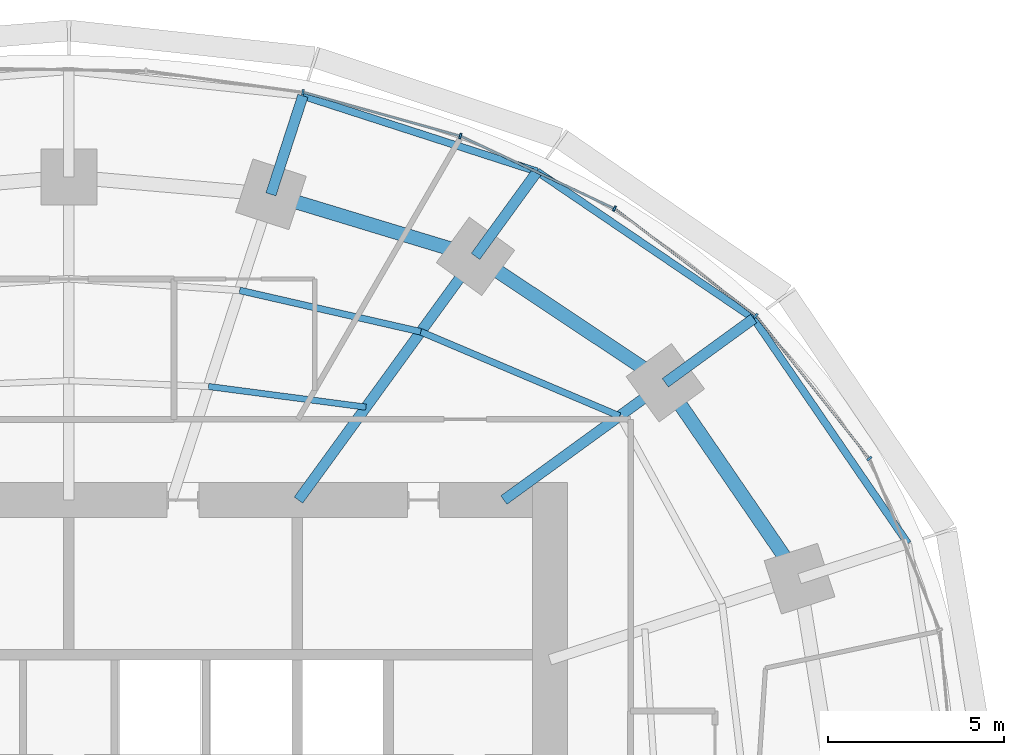
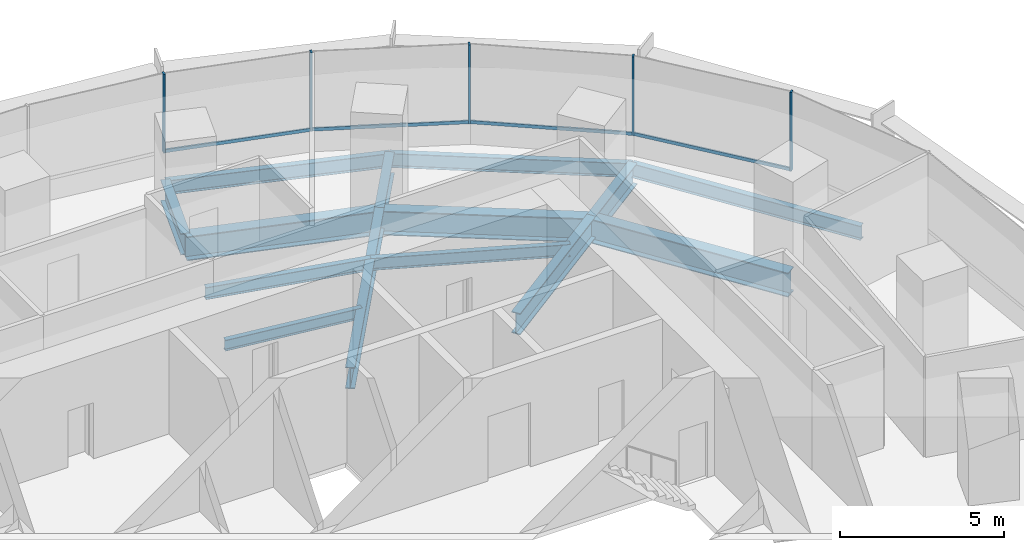
# One storey, part 8 of 14: 14 beams, 9 members, 2 elements without a shape of their own.
"""IFC4 building model written with IfcOpenShell, lengths in metres."""

from ifc_helpers import new_model, si_unit, direction, frame, origin, origin_2d, place, context, subcontext, project, spatial, rectangle, i_section, extrude, material, material_profile, profile_set, type_object, element, aggregate, save


model = new_model("IFC4")

# Units and contexts
model_context = context("Model", 3, precision=1e-05, world=origin(), true_north=direction((0.0, 1.0)))
body_context = subcontext(model_context, "Body", "Model", "MODEL_VIEW")
ifc_project = project(units=[si_unit("LENGTHUNIT", "METRE"), si_unit("AREAUNIT", "SQUARE_METRE"), si_unit("VOLUMEUNIT", "CUBIC_METRE"), si_unit("PLANEANGLEUNIT", "RADIAN"), si_unit("MASSUNIT", "GRAM", prefix="KILO")], contexts=[model_context])

# Site, building, storey
site_placement = place(None, origin())
site = spatial("IfcSite", under=ifc_project, at=site_placement, CompositionType="ELEMENT")
building_placement = place(site_placement, origin())
building = spatial("IfcBuilding", under=site, at=building_placement, Name="Marramba Exchange Tower", CompositionType="ELEMENT")
storey_placement = place(building_placement, frame((0.0, 0.0, 115.800048828125)))
storey = spatial("IfcBuildingStorey", under=building, at=storey_placement, Name="L27", CompositionType="ELEMENT", Elevation=115.800048828125)

# Beams
ifc_material_1 = material(Name="Steel AS/NZS 3679.2 grade 300", Category="steel")
ifc_material_profile_1 = material_profile(ifc_material_1, i_section(OverallWidth=0.300048828125, OverallDepth=0.800048828125, WebThickness=0.013916015625, FlangeThickness=0.031982421875, at=origin_2d()), Name="800WB192")
ifc_profile_set_1 = profile_set([ifc_material_profile_1], Name="Steel AS/NZS 3679.2 grade 300")
beam_type_1 = type_object("IfcBeamType", Name="Cantilever girder 800WB192", PredefinedType="BEAM", material=ifc_profile_set_1)
beam_1_placement = place(storey_placement, frame((16.98583984375, 12.3408203125, -0.56005859375), z_axis=(0.809013970709, 0.58778941399, 0.0), x_axis=(-0.58778941399, 0.809013970709, 0.0)))
element("IfcBeam", 1, at=beam_1_placement, inside=storey, type_object=beam_type_1, Name="Cantilever girder L27 TC03", PredefinedType="BEAM", context=body_context, shape_type="SweptSolid", body=[
    extrude(i_section(OverallWidth=0.300048828125, OverallDepth=0.800048828125, WebThickness=0.013916015625, FlangeThickness=0.031982421875, at=origin_2d()), origin(), (0.0, 0.0, 1.0), 3.1142578125),
])
beam_2_placement = place(storey_placement, frame((11.581298828125, 15.9404296875, -0.56005859375), z_axis=(0.587821738214, 0.808990484544, 0.0), x_axis=(-0.808990484544, 0.587821738214, 0.0)))
element("IfcBeam", 2, at=beam_2_placement, inside=storey, type_object=beam_type_1, Name="Cantilever girder L27 TC04", PredefinedType="BEAM", context=body_context, shape_type="SweptSolid", body=[
    extrude(i_section(OverallWidth=0.300048828125, OverallDepth=0.800048828125, WebThickness=0.013916015625, FlangeThickness=0.031982421875, at=origin_2d()), origin(), (0.0, 0.0, 1.0), 2.987060546875),
])
beam_3_placement = place(storey_placement, frame((5.75390625, 17.70849609375, -0.56005859375), z_axis=(0.309018704887, 0.951055960514, 0.0), x_axis=(-0.951055960514, 0.309018704887, 0.0)))
element("IfcBeam", 3, at=beam_3_placement, inside=storey, type_object=beam_type_1, Name="Cantilever girder L27 TC05", PredefinedType="BEAM", context=body_context, shape_type="SweptSolid", body=[
    extrude(i_section(OverallWidth=0.300048828125, OverallDepth=0.800048828125, WebThickness=0.013916015625, FlangeThickness=0.031982421875, at=origin_2d()), origin(), (0.0, 0.0, 1.0), 2.949951171875),
])
ifc_material_2 = material(Name="Steel AS/NZS 3679.1 grade 300", Category="steel")
ifc_material_profile_2 = material_profile(ifc_material_2, i_section(OverallWidth=0.177978515625, OverallDepth=0.406005859375, WebThickness=0.0078125, FlangeThickness=0.0126953125, FilletRadius=0.011474609375, at=origin_2d()), Name="410UB59.7")
ifc_profile_set_2 = profile_set([ifc_material_profile_2], Name="Steel AS/NZS 3679.1 grade 300")
beam_type_2 = type_object("IfcBeamType", Name="Floor joist 410UB59.7", PredefinedType="JOIST", material=ifc_profile_set_2)
beam_4_placement = place(storey_placement, frame((8.4619140625, 11.646728515625, -0.363037109375), z_axis=(-0.991480538255, 0.130254912618, 0.0), x_axis=(-0.130254912618, -0.991480538255, 0.0)))
element("IfcBeam", 4, at=beam_4_placement, inside=storey, type_object=beam_type_2, Name="Joist L27 bay 04 row 1", PredefinedType="JOIST", context=body_context, shape_type="SweptSolid", body=[
    extrude(i_section(OverallWidth=0.177978515625, OverallDepth=0.406005859375, WebThickness=0.0078125, FlangeThickness=0.0126953125, FilletRadius=0.011474609375, at=origin_2d()), origin(), (0.0, 0.0, 1.0), 4.524658203125),
])
ifc_material_profile_3 = material_profile(ifc_material_2, i_section(OverallWidth=0.18994140625, OverallDepth=0.4541015625, WebThickness=0.008544921875, FlangeThickness=0.0126953125, FilletRadius=0.011474609375, at=origin_2d()), Name="460UB67.1")
ifc_profile_set_3 = profile_set([ifc_material_profile_3], Name="Steel AS/NZS 3679.1 grade 300")
beam_type_3 = type_object("IfcBeamType", Name="Floor joist 460UB67.1", PredefinedType="JOIST", material=ifc_profile_set_3)
beam_5_placement = place(storey_placement, frame((15.682373046875, 11.393798828125, -0.386962890625), z_axis=(-0.920674336375, 0.390331610738, 0.0), x_axis=(-0.390331610738, -0.920674336375, 0.0)))
element("IfcBeam", 5, at=beam_5_placement, inside=storey, type_object=beam_type_3, Name="Joist L27 bay 03 row 2", PredefinedType="JOIST", context=body_context, shape_type="SweptSolid", body=[
    extrude(i_section(OverallWidth=0.18994140625, OverallDepth=0.4541015625, WebThickness=0.008544921875, FlangeThickness=0.0126953125, FilletRadius=0.011474609375, at=origin_2d()), origin(), (0.0, 0.0, 1.0), 6.1484375),
])
beam_6_placement = place(storey_placement, frame((10.021728515625, 13.793701171875, -0.386962890625), z_axis=(-0.974859652292, 0.222819788916, 0.0), x_axis=(-0.222819788916, -0.974859652292, 0.0)))
element("IfcBeam", 6, at=beam_6_placement, inside=storey, type_object=beam_type_3, Name="Joist L27 bay 04 row 2", PredefinedType="JOIST", context=body_context, shape_type="SweptSolid", body=[
    extrude(i_section(OverallWidth=0.18994140625, OverallDepth=0.4541015625, WebThickness=0.008544921875, FlangeThickness=0.0126953125, FilletRadius=0.011474609375, at=origin_2d()), origin(), (0.0, 0.0, 1.0), 5.2900390625),
])

# Curtain wall, members
ifc_material_3 = material(Name="Aluminium framing, bronze anodised", Category="aluminium")
curtain_wall_type = type_object("IfcCurtainWallType", Name="Office ribbon curtain wall", PredefinedType="USERDEFINED", material=ifc_material_3)
curtain_wall_1_placement = place(storey_placement, origin())
curtain_wall_1 = element("IfcCurtainWall", 7, at=curtain_wall_1_placement, inside=storey, type_object=curtain_wall_type, Name="Curtain wall CW4 L27 F01-F05", ObjectType="RIBBON CURTAIN WALL", PredefinedType="USERDEFINED")
ifc_material_4 = material(Name="Aluminium mullion, bronze anodised", Category="aluminium")
ifc_material_profile_4 = material_profile(ifc_material_4, rectangle(XDim=0.159912109375, YDim=0.06005859375, at=origin_2d()), Name="CW4 mullion 60x160")
ifc_profile_set_4 = profile_set([ifc_material_profile_4], Name="Aluminium mullion, bronze anodised")
member_type_1 = type_object("IfcMemberType", Name="Office ribbon curtain wall mullion", PredefinedType="MULLION", material=ifc_profile_set_4)
member_1_placement = place(storey_placement, frame((22.796630859375, 10.181640625, 0.800048828125), z_axis=(0.0, 0.0, 1.0), x_axis=(-0.783563266703, -0.621312004611, 0.0)))
member_1 = element("IfcMember", 8, at=member_1_placement, type_object=member_type_1, Name="CW4 mullion 1", PredefinedType="MULLION", context=body_context, shape_type="SweptSolid", body=[
    extrude(rectangle(XDim=0.159912109375, YDim=0.06005859375, at=origin_2d()), origin(), (0.0, 0.0, 1.0), 2.93994140625),
])
member_2_placement = place(storey_placement, frame((19.5625, 14.24853515625, 0.800048828125), z_axis=(0.0, 0.0, 1.0), x_axis=(-0.60533377223, -0.795971748366, 0.0)))
member_2 = element("IfcMember", 9, at=member_2_placement, type_object=member_type_1, Name="CW4 mullion 1", PredefinedType="MULLION", context=body_context, shape_type="SweptSolid", body=[
    extrude(rectangle(XDim=0.159912109375, YDim=0.06005859375, at=origin_2d()), origin(), (0.0, 0.0, 1.0), 2.93994140625),
])
member_3_placement = place(storey_placement, frame((15.538818359375, 17.300537109375, 0.800048828125), z_axis=(0.0, 0.0, 1.0), x_axis=(-0.426678995157, -0.904403137485, 0.0)))
member_3 = element("IfcMember", 10, at=member_3_placement, type_object=member_type_1, Name="CW4 mullion 1", PredefinedType="MULLION", context=body_context, shape_type="SweptSolid", body=[
    extrude(rectangle(XDim=0.159912109375, YDim=0.06005859375, at=origin_2d()), origin(), (0.0, 0.0, 1.0), 2.93994140625),
])

curtain_wall_2_placement = place(storey_placement, origin())
curtain_wall_2 = element("IfcCurtainWall", 11, at=curtain_wall_2_placement, inside=storey, type_object=curtain_wall_type, Name="Curtain wall CW4 L27 F06-F10", ObjectType="RIBBON CURTAIN WALL", PredefinedType="USERDEFINED")
member_4_placement = place(storey_placement, frame((11.147705078125, 19.366455078125, 0.800048828125), z_axis=(0.0, 0.0, 1.0), x_axis=(-0.268865090816, -0.963177845956, 0.0)))
member_4 = element("IfcMember", 12, at=member_4_placement, type_object=member_type_1, Name="CW4 mullion 1", PredefinedType="MULLION", context=body_context, shape_type="SweptSolid", body=[
    extrude(rectangle(XDim=0.159912109375, YDim=0.06005859375, at=origin_2d()), origin(), (0.0, 0.0, 1.0), 2.93994140625),
])
member_5_placement = place(storey_placement, frame((6.66650390625, 20.61328125, 0.800048828125), z_axis=(0.0, 0.0, 1.0), x_axis=(-0.135785837319, -0.990738212841, 0.0)))
member_5 = element("IfcMember", 13, at=member_5_placement, type_object=member_type_1, Name="CW4 mullion 1", PredefinedType="MULLION", context=body_context, shape_type="SweptSolid", body=[
    extrude(rectangle(XDim=0.159912109375, YDim=0.06005859375, at=origin_2d()), origin(), (0.0, 0.0, 1.0), 2.93994140625),
])

# Member
ifc_material_5 = material(Name="Aluminium transom, bronze anodised", Category="aluminium")
ifc_material_profile_5 = material_profile(ifc_material_5, rectangle(XDim=0.06005859375, YDim=0.1201171875, at=origin_2d()), Name="CW4 transom 60x120")
ifc_profile_set_5 = profile_set([ifc_material_profile_5], Name="Aluminium transom, bronze anodised")
member_type_2 = type_object("IfcMemberType", Name="Office ribbon curtain wall transom", PredefinedType="USERDEFINED", material=ifc_profile_set_5)
member_6_placement = place(storey_placement, frame((22.778076171875, 10.205078125, 0.829833984375), z_axis=(-0.621339379472, 0.783541559534, 0.0), x_axis=(-0.783541559534, -0.621339379472, 0.0)))
member_6 = element("IfcMember", 14, at=member_6_placement, type_object=member_type_2, Name="CW4 sill transom", ObjectType="TRANSOM", PredefinedType="USERDEFINED", context=body_context, shape_type="SweptSolid", body=[
    extrude(rectangle(XDim=0.06005859375, YDim=0.1201171875, at=origin_2d()), origin(), (0.0, 0.0, 1.0), 5.13720703125),
])

member_7_placement = place(storey_placement, frame((19.53857421875, 14.2666015625, 0.829833984375), z_axis=(-0.7959906025, 0.605308979556, 0.0), x_axis=(-0.605308979556, -0.7959906025, 0.0)))
member_7 = element("IfcMember", 15, at=member_7_placement, type_object=member_type_2, Name="CW4 sill transom", ObjectType="TRANSOM", PredefinedType="USERDEFINED", context=body_context, shape_type="SweptSolid", body=[
    extrude(rectangle(XDim=0.06005859375, YDim=0.1201171875, at=origin_2d()), origin(), (0.0, 0.0, 1.0), 4.99072265625),
])

member_8_placement = place(storey_placement, frame((15.51171875, 17.313232421875, 0.829833984375), z_axis=(-0.904410826824, 0.426662696193, 0.0), x_axis=(-0.426662696193, -0.904410826824, 0.0)))
member_8 = element("IfcMember", 16, at=member_8_placement, type_object=member_type_2, Name="CW4 sill transom", ObjectType="TRANSOM", PredefinedType="USERDEFINED", context=body_context, shape_type="SweptSolid", body=[
    extrude(rectangle(XDim=0.06005859375, YDim=0.1201171875, at=origin_2d()), origin(), (0.0, 0.0, 1.0), 4.79345703125),
])

aggregate(curtain_wall_1, [member_1, member_6, member_2, member_7, member_3, member_8])

member_9_placement = place(storey_placement, frame((11.118896484375, 19.37451171875, 0.829833984375), z_axis=(-0.963173567938, 0.268880415847, 0.0), x_axis=(-0.268880415847, -0.963173567938, 0.0)))
member_9 = element("IfcMember", 17, at=member_9_placement, type_object=member_type_2, Name="CW4 sill transom", ObjectType="TRANSOM", PredefinedType="USERDEFINED", context=body_context, shape_type="SweptSolid", body=[
    extrude(rectangle(XDim=0.06005859375, YDim=0.1201171875, at=origin_2d()), origin(), (0.0, 0.0, 1.0), 4.591796875),
])

aggregate(curtain_wall_2, [member_4, member_9, member_5])

# Beams
ifc_material_profile_6 = material_profile(ifc_material_1, i_section(OverallWidth=0.300048828125, OverallDepth=0.800048828125, WebThickness=0.013916015625, FlangeThickness=0.031982421875, at=origin_2d()), Name="800WB192")
ifc_profile_set_6 = profile_set([ifc_material_profile_6], Name="Steel AS/NZS 3679.2 grade 300")
beam_type_4 = type_object("IfcBeamType", Name="Radial girder 800WB192", PredefinedType="BEAM", material=ifc_profile_set_6)
beam_7_placement = place(storey_placement, frame((12.387451171875, 9.0, -0.56005859375), z_axis=(0.809025746925, 0.587773205252, 0.0), x_axis=(-0.587773205252, 0.809025746925, 0.0)))
element("IfcBeam", 18, at=beam_7_placement, inside=storey, type_object=beam_type_4, Name="Radial girder L27 TC03", PredefinedType="BEAM", context=body_context, shape_type="SweptSolid", body=[
    extrude(i_section(OverallWidth=0.300048828125, OverallDepth=0.800048828125, WebThickness=0.013916015625, FlangeThickness=0.031982421875, at=origin_2d()), origin(), (0.0, 0.0, 1.0), 5.683837890625),
])
beam_8_placement = place(storey_placement, frame((6.538818359375, 9.0, -0.56005859375), z_axis=(0.587782439969, 0.80901903764, 0.0), x_axis=(-0.80901903764, 0.587782439969, 0.0)))
element("IfcBeam", 19, at=beam_8_placement, inside=storey, type_object=beam_type_4, Name="Radial girder L27 TC04", PredefinedType="BEAM", context=body_context, shape_type="SweptSolid", body=[
    extrude(i_section(OverallWidth=0.300048828125, OverallDepth=0.800048828125, WebThickness=0.013916015625, FlangeThickness=0.031982421875, at=origin_2d()), origin(), (0.0, 0.0, 1.0), 8.578857421875),
])
ifc_material_profile_7 = material_profile(ifc_material_1, i_section(OverallWidth=0.39990234375, OverallDepth=0.89990234375, WebThickness=0.01611328125, FlangeThickness=0.031982421875, at=origin_2d()), Name="900WB282")
ifc_profile_set_7 = profile_set([ifc_material_profile_7], Name="Steel AS/NZS 3679.2 grade 300")
beam_type_5 = type_object("IfcBeamType", Name="Ring beam 900WB282", PredefinedType="SPANDREL", material=ifc_profile_set_7)
beam_9_placement = place(storey_placement, frame((20.808349609375, 6.760986328125, -0.610107421875), z_axis=(-0.56516002054, 0.824981303535, 0.0), x_axis=(-0.824981303535, -0.56516002054, 0.0)))
element("IfcBeam", 20, at=beam_9_placement, inside=storey, type_object=beam_type_5, Name="Ring beam L27 TC02-TC03", PredefinedType="SPANDREL", context=body_context, shape_type="SweptSolid", body=[
    extrude(i_section(OverallWidth=0.39990234375, OverallDepth=0.89990234375, WebThickness=0.01611328125, FlangeThickness=0.031982421875, at=origin_2d()), origin(), (0.0, 0.0, 1.0), 6.763671875),
])
beam_10_placement = place(storey_placement, frame((16.98583984375, 12.3408203125, -0.610107421875), z_axis=(-0.832293151443, 0.554335737673, 0.0), x_axis=(-0.554335737673, -0.832293151443, 0.0)))
element("IfcBeam", 21, at=beam_10_placement, inside=storey, type_object=beam_type_5, Name="Ring beam L27 TC03-TC04", PredefinedType="SPANDREL", context=body_context, shape_type="SweptSolid", body=[
    extrude(i_section(OverallWidth=0.39990234375, OverallDepth=0.89990234375, WebThickness=0.01611328125, FlangeThickness=0.031982421875, at=origin_2d()), origin(), (0.0, 0.0, 1.0), 6.49365234375),
])
beam_11_placement = place(storey_placement, frame((11.581298828125, 15.9404296875, -0.610107421875), z_axis=(-0.956924542524, 0.290336735387, 0.0), x_axis=(-0.290336735387, -0.956924542524, 0.0)))
element("IfcBeam", 22, at=beam_11_placement, inside=storey, type_object=beam_type_5, Name="Ring beam L27 TC04-TC05", PredefinedType="SPANDREL", context=body_context, shape_type="SweptSolid", body=[
    extrude(i_section(OverallWidth=0.39990234375, OverallDepth=0.89990234375, WebThickness=0.01611328125, FlangeThickness=0.031982421875, at=origin_2d()), origin(), (0.0, 0.0, 1.0), 6.089599609375),
])
ifc_material_profile_8 = material_profile(ifc_material_2, i_section(OverallWidth=0.208984375, OverallDepth=0.528076171875, WebThickness=0.009521484375, FlangeThickness=0.01318359375, FilletRadius=0.013916015625, at=origin_2d()), Name="530UB82.0")
ifc_profile_set_8 = profile_set([ifc_material_profile_8], Name="Steel AS/NZS 3679.1 grade 300")
beam_type_6 = type_object("IfcBeamType", Name="Slab edge beam 530UB82.0", PredefinedType="SPANDREL", material=ifc_profile_set_8)
beam_12_placement = place(storey_placement, frame((23.89501953125, 7.763916015625, -0.424072265625), z_axis=(-0.56517400038, 0.824971726361, 0.0), x_axis=(-0.824971726361, -0.56517400038, 0.0)))
element("IfcBeam", 23, at=beam_12_placement, inside=storey, type_object=beam_type_6, Name="Slab edge beam L27 TC02-TC03", PredefinedType="SPANDREL", context=body_context, shape_type="SweptSolid", body=[
    extrude(i_section(OverallWidth=0.208984375, OverallDepth=0.528076171875, WebThickness=0.009521484375, FlangeThickness=0.01318359375, FilletRadius=0.013916015625, at=origin_2d()), origin(), (0.0, 0.0, 1.0), 7.766845703125),
])
beam_13_placement = place(storey_placement, frame((19.50537109375, 14.17138671875, -0.424072265625), z_axis=(-0.827477404833, 0.561499015574, 0.0), x_axis=(-0.561499015574, -0.827477404833, 0.0)))
element("IfcBeam", 24, at=beam_13_placement, inside=storey, type_object=beam_type_6, Name="Slab edge beam L27 TC03-TC04", PredefinedType="SPANDREL", context=body_context, shape_type="SweptSolid", body=[
    extrude(i_section(OverallWidth=0.208984375, OverallDepth=0.528076171875, WebThickness=0.009521484375, FlangeThickness=0.01318359375, FilletRadius=0.013916015625, at=origin_2d()), origin(), (0.0, 0.0, 1.0), 7.454345703125),
])
beam_14_placement = place(storey_placement, frame((13.337158203125, 18.35693359375, -0.424072265625), z_axis=(-0.951496392577, 0.307659901373, 0.0), x_axis=(-0.307659901373, -0.951496392577, 0.0)))
element("IfcBeam", 25, at=beam_14_placement, inside=storey, type_object=beam_type_6, Name="Slab edge beam L27 TC04-TC05", PredefinedType="SPANDREL", context=body_context, shape_type="SweptSolid", body=[
    extrude(i_section(OverallWidth=0.208984375, OverallDepth=0.528076171875, WebThickness=0.009521484375, FlangeThickness=0.01318359375, FilletRadius=0.013916015625, at=origin_2d()), origin(), (0.0, 0.0, 1.0), 7.01171875),
])

save(model, "model.ifc")
